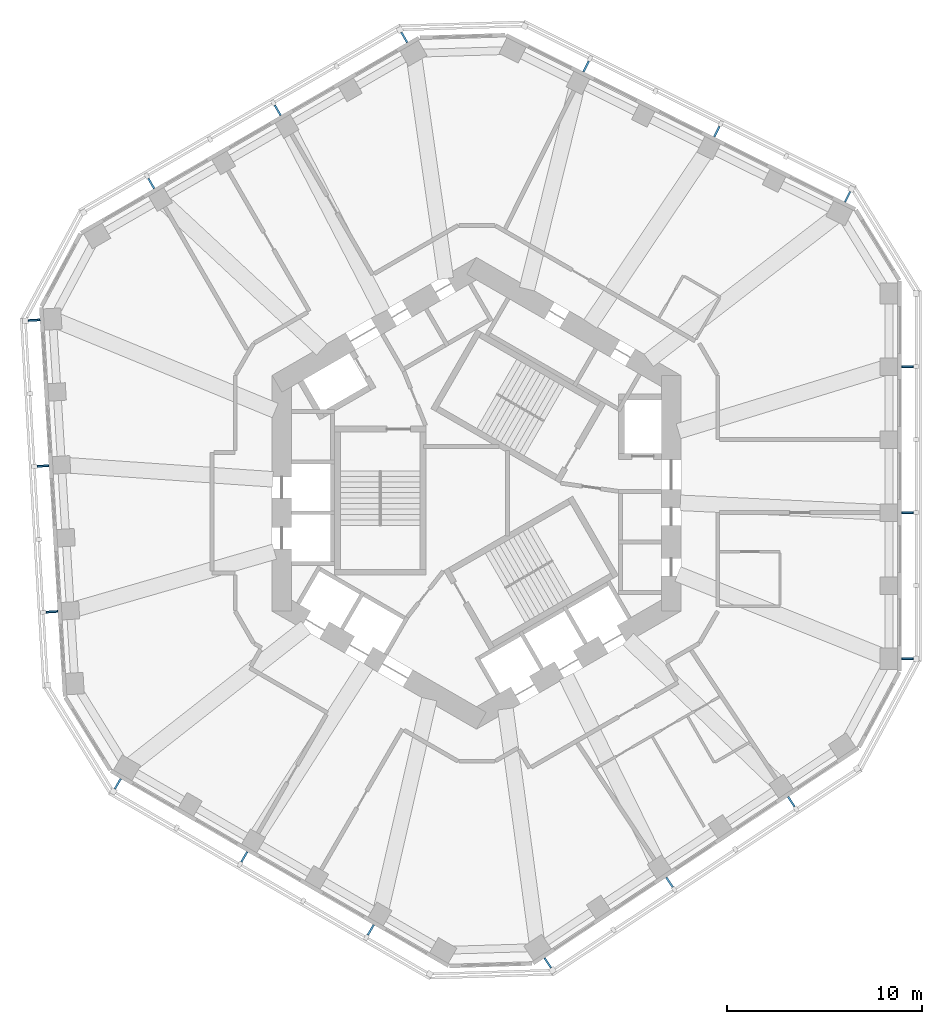
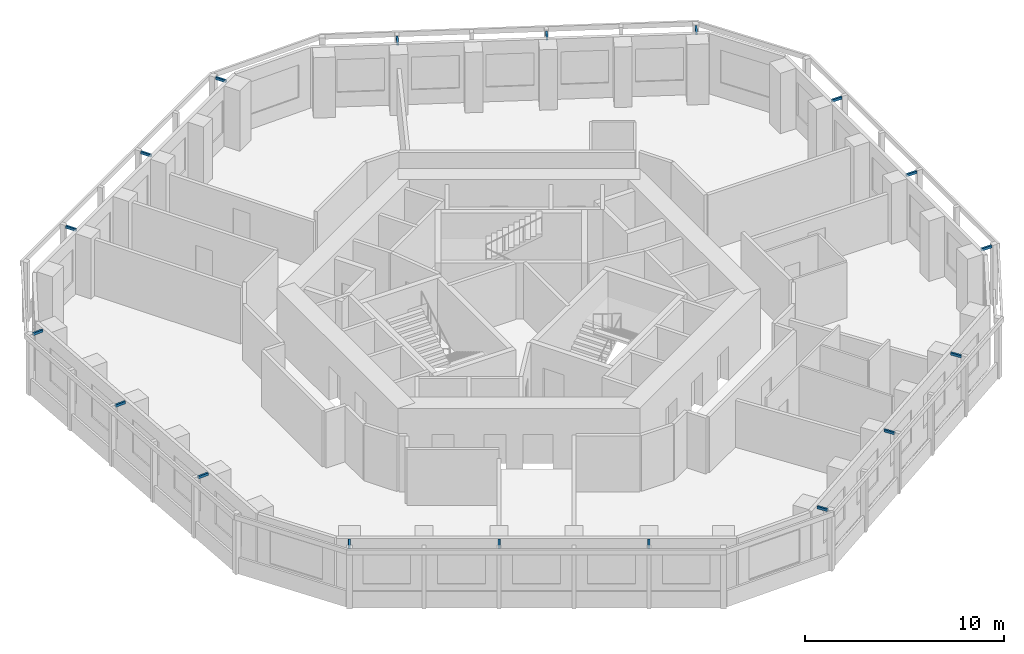
# One storey, part 9 of 10: 18 discrete accessories.
"""IFC4 building model written with IfcOpenShell, lengths in metres."""

import ifcopenshell
import ifcopenshell.guid

model = None  # the IFC model being written
_history = None  # IfcOwnerHistory: only IFC2X3 demands one
_inside = {}  # id of a spatial element -> (the spatial element, [elements in it])
_under = {}  # id of a project, library or spatial element -> (it, [spatial elements below it])
_declared = {}  # id of a project -> (the project, [libraries it declares])
_typed = {}  # id of a type object -> (the type object, [elements of that type])
_made_of = {}  # id of a material, layer set ... -> (it, [elements and type objects made of it])


def new_model(schema):
    """Start an empty IFC model of exactly this schema.

    Asked for "IFC4X3", IfcOpenShell would pick the latest addendum, in which some entities
    have other attributes; the version numbers below select the first issue.
    IFC2X3 requires an IfcOwnerHistory on every rooted entity: one is made here for all.
    """
    global model, _history
    if schema == "IFC4X3":
        model = ifcopenshell.file(schema_version=(4, 3, 0, 0))
    else:
        model = ifcopenshell.file(schema=schema)
    _inside.clear()
    _under.clear()
    _declared.clear()
    _typed.clear()
    _made_of.clear()
    _history = None
    if model.schema == "IFC2X3":
        org = make("IfcOrganization", Name="unknown")
        user = make(
            "IfcPersonAndOrganization",
            ThePerson=make("IfcPerson", FamilyName="unknown"),
            TheOrganization=org,
        )
        app = make(
            "IfcApplication",
            ApplicationDeveloper=org,
            Version="unknown",
            ApplicationFullName="unknown",
            ApplicationIdentifier="unknown",
        )
        _history = make(
            "IfcOwnerHistory",
            OwningUser=user,
            OwningApplication=app,
            ChangeAction="ADDED",
            CreationDate=0,
        )
    return model


def make(cls, **values):
    """One entity of the class cls with the attributes given. An attribute that is None is left unset."""
    return model.create_entity(
        cls, **{name: value for name, value in values.items() if value is not None}
    )


def rooted(cls, **values):
    """An entity with a GlobalId (a new one), such as an element, a storey or a relation."""
    return make(cls, GlobalId=ifcopenshell.guid.new(), OwnerHistory=_history, **values)


def si_unit(unit_type, name, prefix=None):
    """IfcSIUnit, for example si_unit("LENGTHUNIT", "METRE", prefix="MILLI")."""
    return make("IfcSIUnit", UnitType=unit_type, Prefix=prefix, Name=name)


def assignment(units):
    """IfcUnitAssignment: the units of a project."""
    return None if units is None else make("IfcUnitAssignment", Units=units)


def point(xyz):
    """IfcCartesianPoint."""
    return None if xyz is None else make("IfcCartesianPoint", Coordinates=xyz)


def direction(xyz):
    """IfcDirection."""
    return None if xyz is None else make("IfcDirection", DirectionRatios=xyz)


def frame(location, z_axis=None, x_axis=None):
    """IfcAxis2Placement3D, a coordinate frame: its origin and axes. An axis left out is left unset."""
    return make(
        "IfcAxis2Placement3D",
        Location=point(location),
        Axis=direction(z_axis),
        RefDirection=direction(x_axis),
    )


def frame_2d(location, x_axis=None):
    """IfcAxis2Placement2D, a coordinate frame in the plane: its origin and x axis."""
    return make(
        "IfcAxis2Placement2D", Location=point(location), RefDirection=direction(x_axis)
    )


def origin():
    """The frame at (0, 0, 0) with its axes left unset."""
    return frame((0.0, 0.0, 0.0))


def origin_2d():
    """The frame at (0, 0) in the plane with its x axis left unset."""
    return frame_2d((0.0, 0.0))


def place(relative_to, where):
    """IfcLocalPlacement: puts the frame where relative to a parent placement (None: the world)."""
    return make(
        "IfcLocalPlacement", PlacementRelTo=relative_to, RelativePlacement=where
    )


def context(
    kind, dimensions, precision=None, world=None, true_north=None, identifier=None
):
    """IfcGeometricRepresentationContext, for example the 3D "Model" context."""
    return make(
        "IfcGeometricRepresentationContext",
        ContextIdentifier=identifier,
        ContextType=kind,
        CoordinateSpaceDimension=dimensions,
        Precision=precision,
        WorldCoordinateSystem=world,
        TrueNorth=true_north,
    )


def subcontext(parent, identifier, kind, view, scale=None):
    """IfcGeometricRepresentationSubContext, for example "Body" below "Model"."""
    return make(
        "IfcGeometricRepresentationSubContext",
        ContextIdentifier=identifier,
        ContextType=kind,
        ParentContext=parent,
        TargetScale=scale,
        TargetView=view,
    )


def project(units=None, contexts=None):
    """IfcProject with its units and contexts."""
    return rooted(
        "IfcProject",
        Name="project",
        RepresentationContexts=contexts,
        UnitsInContext=assignment(units),
    )


def spatial(cls, under=None, at=None, **own):
    """A site, building, storey or space (cls), placed at a placement, below another one or the project."""
    s = rooted(cls, ObjectPlacement=at, **own)
    if under is not None:
        _under.setdefault(under.id(), (under, []))[1].append(s)
    return s


def profile(cls, at=None, kind="AREA", **sizes):
    """A parametric profile (cls). Its sizes go by their IFC names, for example OverallWidth=200.0."""
    return make(cls, ProfileType=kind, Position=at, **sizes)


def rectangle(**sizes):
    """IfcRectangleProfileDef."""
    return profile("IfcRectangleProfileDef", **sizes)


def extrude(swept, where, along, depth):
    """IfcExtrudedAreaSolid: the profile swept, set in the frame where, extruded along a direction by depth."""
    return make(
        "IfcExtrudedAreaSolid",
        SweptArea=swept,
        Position=where,
        ExtrudedDirection=direction(along),
        Depth=depth,
    )


def shape(context_of_items, identifier, shape_type, items):
    """IfcShapeRepresentation: the items that make up one representation, for example the "Body"."""
    return make(
        "IfcShapeRepresentation",
        ContextOfItems=context_of_items,
        RepresentationIdentifier=identifier,
        RepresentationType=shape_type,
        Items=items,
    )


def material(Name=None, Category=None):
    """IfcMaterial."""
    return make("IfcMaterial", Name=Name, Category=Category)


def made_of(thing, what):
    """Note that an element or type object is made of a material, layer set ...; save() writes the relation."""
    if what is not None:
        _made_of.setdefault(what.id(), (what, []))[1].append(thing)
    return thing


def type_object(cls, material=None, **own):
    """A type object (cls), such as IfcWallType, which elements share."""
    return made_of(rooted(cls, **own), material)


def element(
    cls,
    number,
    at=None,
    inside=None,
    cuts=None,
    type_object=None,
    material=None,
    context=None,
    identifier="Body",
    shape_type=None,
    held_by="IfcProductDefinitionShape",
    body=None,
    shapes=None,
    **own,
):
    """One element of the class cls, such as IfcWall. Its Tag is "e" and its number.

    at: its placement. inside: the storey or other place that contains it. cuts: it is an
    opening in that element (IfcRelVoidsElement). A single representation is given by context,
    identifier, shape_type and body (its items); several are given by shapes. held_by: the class
    of the entity that holds the representations. save() writes the other relations.
    """
    e = rooted(cls, Tag="e%d" % number, ObjectPlacement=at, **own)
    if body is not None:
        shapes = [shape(context, identifier, shape_type, body)]
    if shapes is not None:
        e.Representation = make(held_by, Representations=shapes)
    if inside is not None:
        _inside.setdefault(inside.id(), (inside, []))[1].append(e)
    if cuts is not None:
        rooted(
            "IfcRelVoidsElement", RelatingBuildingElement=cuts, RelatedOpeningElement=e
        )
    if type_object is not None:
        _typed.setdefault(type_object.id(), (type_object, []))[1].append(e)
    return made_of(e, material)


def aggregate(whole, parts):
    """IfcRelAggregates: a whole, such as a stair, and the parts it consists of."""
    return rooted("IfcRelAggregates", RelatingObject=whole, RelatedObjects=parts)


def save(model, path):
    """Write the relations noted so far, then the file.

    IfcRelAggregates (storeys below a building ...), IfcRelContainedInSpatialStructure (elements
    in a storey), IfcRelDefinesByType, IfcRelAssociatesMaterial and IfcRelDeclares: one each for
    every whole, place, type object, material and project.
    """
    for whole, parts in _under.values():
        aggregate(whole, parts)
    for where, things in _inside.values():
        rooted(
            "IfcRelContainedInSpatialStructure",
            RelatedElements=things,
            RelatingStructure=where,
        )
    for kind, things in _typed.values():
        rooted("IfcRelDefinesByType", RelatedObjects=things, RelatingType=kind)
    for what, things in _made_of.values():
        rooted("IfcRelAssociatesMaterial", RelatedObjects=things, RelatingMaterial=what)
    for by, libraries in _declared.values():
        rooted("IfcRelDeclares", RelatingContext=by, RelatedDefinitions=libraries)
    model.write(path)


model = new_model("IFC4")

# Units and contexts
model_context = context("Model", 3, precision=1e-05, world=origin(), true_north=direction((0.0, 1.0)))
body_context = subcontext(model_context, "Body", "Model", "MODEL_VIEW")
ifc_project = project(units=[si_unit("LENGTHUNIT", "METRE"), si_unit("AREAUNIT", "SQUARE_METRE"), si_unit("VOLUMEUNIT", "CUBIC_METRE"), si_unit("PLANEANGLEUNIT", "RADIAN"), si_unit("MASSUNIT", "GRAM", prefix="KILO")], contexts=[model_context])

# Site, building, storey
site_placement = place(None, origin())
site = spatial("IfcSite", under=ifc_project, at=site_placement, CompositionType="ELEMENT")
building_placement = place(site_placement, origin())
building = spatial("IfcBuilding", under=site, at=building_placement, Name="Vanh Sen Convention Tower", CompositionType="ELEMENT")
storey_placement = place(building_placement, frame((0.0, 0.0, 191.0)))
storey = spatial("IfcBuildingStorey", under=building, at=storey_placement, Name="L47", CompositionType="ELEMENT", Elevation=191.0)

# Discrete accessories
ifc_material = material(Name="Steel S355", Category="steel")
discrete_accessory_type = type_object("IfcDiscreteAccessoryType", Name="Fin bracket 100 x 150", PredefinedType="BRACKET", material=ifc_material)
for number, where, z_axis, x_axis, name in (
    (1, (22.14990234375, -8.5009765625, 3.5), (0.0, 0.0, 1.0), (1.0, 0.0, 0.0), "Fin bracket E-1 L47"),
    (2, (22.14990234375, -0.992919921875, 3.5), (0.0, 0.0, 1.0), (1.0, 0.0, 0.0), "Fin bracket E-3 L47"),
    (3, (22.14990234375, 6.515380859375, 3.5), (0.0, 0.0, 1.0), (1.0, 0.0, 0.0), "Fin bracket E-5 L47"),
    (4, (19.073974609375, 15.240478515625, 3.5), (0.0, 0.0, 1.0), (0.44619781311, 0.894934361602, 0.0), "Fin bracket NE-1 L47"),
    (5, (12.3544921875, 18.5908203125, 3.5), (0.0, 0.0, 1.0), (0.44619781311, 0.894934361602, 0.0), "Fin bracket NE-3 L47"),
    (6, (5.635009765625, 21.94091796875, 3.5), (0.0, 0.0, 1.0), (0.44619781311, 0.894934361602, 0.0), "Fin bracket NE-5 L47"),
    (7, (-3.712890625, 23.432861328125, 3.5), (0.0, 0.0, 1.0), (-0.5, 0.866025403784, 0.0), "Fin bracket NW-1 L47"),
    (8, (-10.215087890625, 19.6787109375, 3.5), (0.0, 0.0, 1.0), (-0.5, 0.866025403784, 0.0), "Fin bracket NW-3 L47"),
    (9, (-16.717529296875, 15.9248046875, 3.5), (0.0, 0.0, 1.0), (-0.5, 0.866025403784, 0.0), "Fin bracket NW-5 L47"),
    (10, (-22.735595703125, 8.898193359375, 3.5), (0.0, 0.0, 1.0), (-0.998134798422, -0.061048539535, 0.0), "Fin bracket W-1 L47"),
    (11, (-22.277099609375, 1.40380859375, 3.5), (0.0, 0.0, 1.0), (-0.998134798422, -0.061048539535, 0.0), "Fin bracket W-3 L47"),
    (12, (-21.81884765625, -6.09033203125, 3.5), (0.0, 0.0, 1.0), (-0.998134798422, -0.061048539535, 0.0), "Fin bracket W-5 L47"),
    (13, (-18.43701171875, -14.931884765625, 3.5), (0.0, 0.0, 1.0), (-0.5, -0.866025403784, 0.0), "Fin bracket SW-1 L47"),
    (14, (-11.934814453125, -18.68603515625, 3.5), (0.0, 0.0, 1.0), (-0.5, -0.866025403784, 0.0), "Fin bracket SW-3 L47"),
    (15, (-5.4326171875, -22.440185546875, 3.5), (0.0, 0.0, 1.0), (-0.5, -0.866025403784, 0.0), "Fin bracket SW-5 L47"),
    (16, (3.66162109375, -24.138671875, 3.5), (0.0, 0.0, 1.0), (0.551936985312, -0.833885822067, 0.0), "Fin bracket SE-1 L47"),
    (17, (9.922607421875, -19.99462890625, 3.5), (0.0, 0.0, 1.0), (0.551936985312, -0.833885822067, 0.0), "Fin bracket SE-3 L47"),
    (18, (16.18359375, -15.8505859375, 3.5), (0.0, 0.0, 1.0), (0.551936985312, -0.833885822067, 0.0), "Fin bracket SE-5 L47"),
):
    element("IfcDiscreteAccessory", number, at=place(storey_placement, frame(where, z_axis=z_axis, x_axis=x_axis)), inside=storey, type_object=discrete_accessory_type, Name=name, PredefinedType="BRACKET", context=body_context, shape_type="SweptSolid", body=[
        extrude(rectangle(XDim=0.60009765625, YDim=0.10009765625, at=origin_2d()), origin(), (0.0, 0.0, 1.0), 0.14990234375),
    ])

save(model, "model.ifc")
